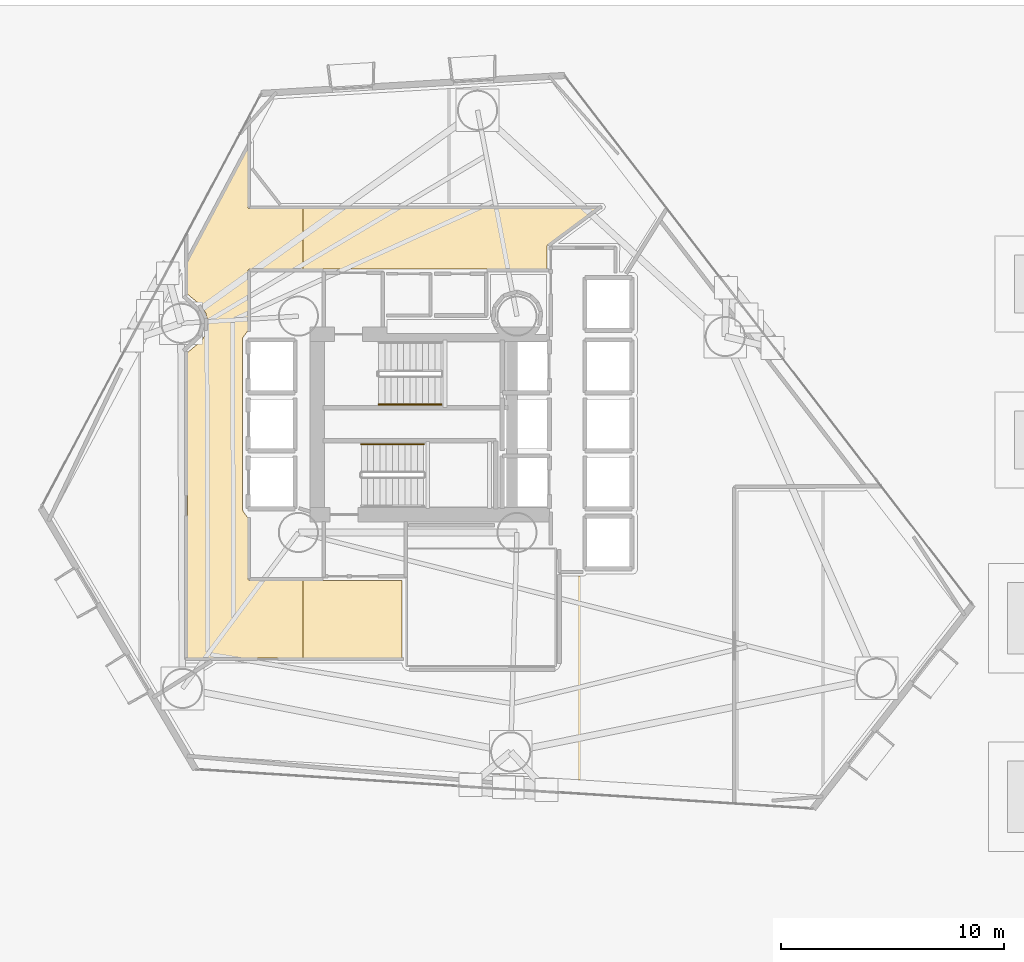
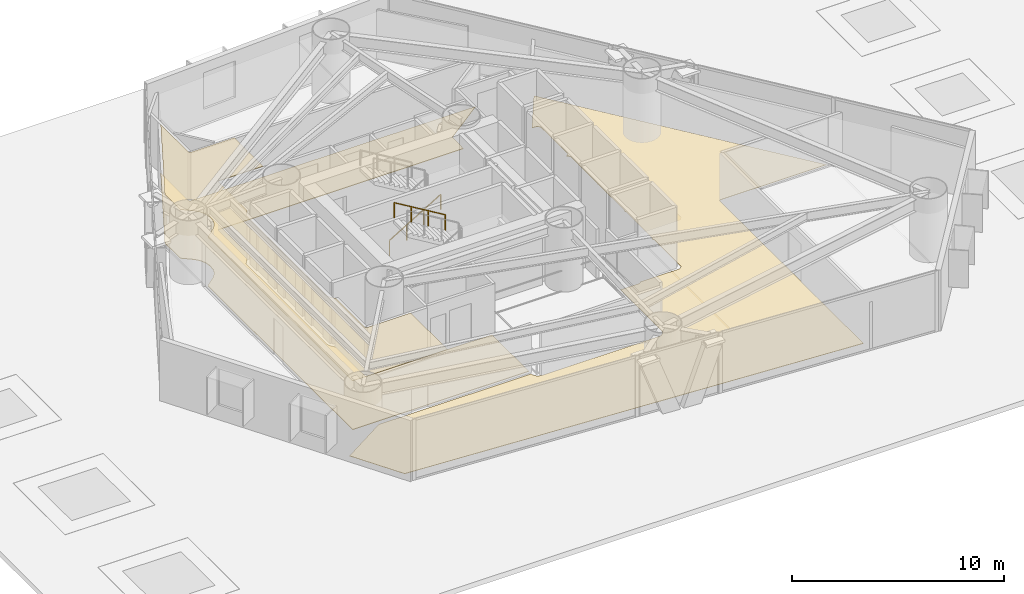
# One storey, part 20 of 22: 3 coverings, 2 railings.
"""IFC4 building model written with IfcOpenShell, lengths in metres."""

from ifc_helpers import new_model, si_unit, direction, frame, origin, origin_2d, place, context, subcontext, project, spatial, polyline, rectangle, outline, extrude, material, layer, layer_set, type_object, element, save


model = new_model("IFC4")

# Units and contexts
model_context = context("Model", 3, precision=1e-05, world=origin(), true_north=direction((0.0, 1.0)))
body_context = subcontext(model_context, "Body", "Model", "MODEL_VIEW")
ifc_project = project(units=[si_unit("LENGTHUNIT", "METRE"), si_unit("AREAUNIT", "SQUARE_METRE"), si_unit("VOLUMEUNIT", "CUBIC_METRE"), si_unit("PLANEANGLEUNIT", "RADIAN"), si_unit("MASSUNIT", "GRAM", prefix="KILO")], contexts=[model_context])

# Site, building, storey
site_placement = place(None, origin())
site = spatial("IfcSite", under=ifc_project, at=site_placement, CompositionType="ELEMENT")
building_placement = place(site_placement, origin())
building = spatial("IfcBuilding", under=site, at=building_placement, Name="Qianvela Tower", CompositionType="ELEMENT")
storey_placement = place(building_placement, frame((0.0, 0.0, 25.699951171875)))
storey = spatial("IfcBuildingStorey", under=building, at=storey_placement, Name="L05", CompositionType="ELEMENT", Elevation=25.699951171875)

# Coverings
ifc_material_1 = material(Name="Perforated Mineral Acoustic Ceiling Tile")
ifc_layer_1 = layer(ifc_material_1, 0.02490234375)
ifc_layer_set_1 = layer_set([ifc_layer_1], Name="Perforated Mineral Acoustic Ceiling Tile")
covering_type_1 = type_object("IfcCoveringType", Name="COV-CEIL-ACOUSTIC-25", PredefinedType="CEILING", material=ifc_layer_set_1)
covering_1_placement = place(storey_placement, frame((0.0, 0.0, 2.81494140625)))
element("IfcCovering", 1, at=covering_1_placement, inside=storey, type_object=covering_type_1, Name="L05 Acoustic Ceiling Bay 1 L05 Floor Corridor", PredefinedType="CEILING", context=body_context, shape_type="SweptSolid", body=[
    extrude(outline(polyline([(24.514892578125, 33.462158203125), (24.512939453125, 33.4697265625), (24.44921875, 33.6796875), (24.44677734375, 33.687255859375), (24.443359375, 33.6943359375), (24.33984375, 33.887939453125), (24.335693359375, 33.894775390625), (24.3310546875, 33.90087890625), (24.19189453125, 34.07080078125), (24.1865234375, 34.076416015625), (24.1806640625, 34.081787109375), (23.635498046875, 34.529296875), (23.630126953125, 35.978515625), (26.340087890625, 41.0751953125), (26.340087890625, 38.449951171875), (26.34033203125, 38.442138671875), (26.341552734375, 38.434326171875), (26.343505859375, 38.4267578125), (26.34619140625, 38.41943359375), (26.349365234375, 38.412353515625), (26.353515625, 38.405517578125), (26.358154296875, 38.399169921875), (26.36328125, 38.393310546875), (26.369140625, 38.38818359375), (26.37548828125, 38.383544921875), (26.38232421875, 38.37939453125), (26.389404296875, 38.376220703125), (26.396728515625, 38.373291015625), (26.404296875, 38.37158203125), (26.412109375, 38.370361328125), (26.419921875, 38.3701171875), (28.80517578125, 38.3701171875), (28.80517578125, 35.659912109375), (26.419921875, 35.659912109375), (26.412109375, 35.65966796875), (26.404296875, 35.658447265625), (26.396728515625, 35.656494140625), (26.389404296875, 35.65380859375), (26.38232421875, 35.650634765625), (26.37548828125, 35.646484375), (26.369140625, 35.641845703125), (26.36328125, 35.63671875), (26.358154296875, 35.630859375), (26.353515625, 35.62451171875), (26.349365234375, 35.61767578125), (26.34619140625, 35.610595703125), (26.343505859375, 35.603271484375), (26.341552734375, 35.595703125), (26.34033203125, 35.587890625), (26.340087890625, 35.580078125), (26.340087890625, 32.89599609375), (26.11572265625, 32.593505859375), (26.11181640625, 32.587646484375), (26.108154296875, 32.581298828125), (26.105224609375, 32.574462890625), (26.10302734375, 32.567626953125), (26.101318359375, 32.560546875), (26.100341796875, 32.55322265625), (26.10009765625, 32.5458984375), (26.10009765625, 24.89990234375), (26.100341796875, 24.89208984375), (26.1015625, 24.884521484375), (26.103515625, 24.876708984375), (26.126953125, 24.799072265625), (26.12939453125, 24.79248046875), (26.132080078125, 24.786376953125), (26.135498046875, 24.7802734375), (26.139404296875, 24.774658203125), (26.340087890625, 24.50390625), (26.340087890625, 21.780029296875), (26.34033203125, 21.772216796875), (26.341552734375, 21.764404296875), (26.343505859375, 21.7568359375), (26.34619140625, 21.74951171875), (26.349365234375, 21.7421875), (26.353515625, 21.735595703125), (26.358154296875, 21.729248046875), (26.36328125, 21.723388671875), (26.369140625, 21.71826171875), (26.37548828125, 21.71337890625), (26.38232421875, 21.70947265625), (26.389404296875, 21.7060546875), (26.396728515625, 21.703369140625), (26.404296875, 21.701416015625), (26.412109375, 21.700439453125), (26.419921875, 21.699951171875), (28.80517578125, 21.699951171875), (28.80517578125, 18.22998046875), (23.6298828125, 18.22998046875), (23.6298828125, 31.922119140625), (24.1806640625, 32.374267578125), (24.1865234375, 32.37939453125), (24.19189453125, 32.38525390625), (24.3310546875, 32.554931640625), (24.335693359375, 32.561279296875), (24.33984375, 32.568115234375), (24.49609375, 32.8603515625), (24.49951171875, 32.867431640625), (24.502197265625, 32.875), (24.50390625, 32.882568359375), (24.505126953125, 32.890380859375), (24.53759765625, 33.22021484375), (24.5380859375, 33.22802734375), (24.53759765625, 33.23583984375), (24.51611328125, 33.454345703125), (24.514892578125, 33.462158203125)])), origin(), (0.0, 0.0, 1.0), 0.025146484375),
])
ifc_material_2 = material(Name="Engineered Acoustic Oak Timber Flooring", Category="wood")
ifc_layer_2 = layer(ifc_material_2, 0.02001953125)
ifc_layer_set_2 = layer_set([ifc_layer_2], Name="Engineered Acoustic Oak Timber Flooring")
covering_type_2 = type_object("IfcCoveringType", Name="COV-FLOOR-OAK-20", PredefinedType="FLOORING", material=ifc_layer_set_2)
covering_2_placement = place(storey_placement, origin())
element("IfcCovering", 2, at=covering_2_placement, inside=storey, type_object=covering_type_2, Name="L05 Finish Flooring Shared Communal Kitchen L05-02", PredefinedType="FLOORING", context=body_context, shape_type="SweptSolid", body=[
    extrude(outline(polyline([(40.122802734375, 17.662841796875), (40.13037109375, 17.664794921875), (40.1376953125, 17.66748046875), (40.14501953125, 17.6708984375), (40.151611328125, 17.6748046875), (40.242431640625, 17.735595703125), (40.249267578125, 17.74072265625), (40.255615234375, 17.74658203125), (40.26123046875, 17.753173828125), (40.26611328125, 17.76025390625), (40.270263671875, 17.767822265625), (40.35107421875, 17.9384765625), (40.354248046875, 17.946533203125), (40.356689453125, 17.955078125), (40.358154296875, 17.963623046875), (40.358642578125, 17.972412109375), (40.360107421875, 21.889892578125), (41.367919921875, 21.890380859375), (41.375732421875, 21.890869140625), (41.383544921875, 21.891845703125), (41.39111328125, 21.893798828125), (41.3984375, 21.896484375), (41.405517578125, 21.89990234375), (41.45947265625, 21.9287109375), (41.46630859375, 21.932861328125), (41.472900390625, 21.9375), (41.478759765625, 21.943115234375), (41.48388671875, 21.948974609375), (41.48876953125, 21.955322265625), (41.492919921875, 21.96240234375), (41.49609375, 21.969482421875), (41.498779296875, 21.97705078125), (41.49951171875, 21.97998046875), (43.59375, 21.980712890625), (43.6015625, 21.981201171875), (43.609375, 21.982177734375), (43.616943359375, 21.984130859375), (43.624267578125, 21.98681640625), (43.699462890625, 22.017822265625), (43.70703125, 22.021484375), (43.71435546875, 22.02587890625), (43.72119140625, 22.03125), (43.727294921875, 22.037109375), (43.732666015625, 22.043701171875), (43.7373046875, 22.05078125), (43.785888671875, 22.131591796875), (43.7900390625, 22.13916015625), (43.793212890625, 22.147216796875), (43.79541015625, 22.155517578125), (43.796875, 22.1640625), (43.79736328125, 22.172607421875), (43.800048828125, 24.599853515625), (43.7998046875, 24.606689453125), (43.798828125, 24.613525390625), (43.79736328125, 24.620361328125), (43.79541015625, 24.626953125), (43.763427734375, 24.7158203125), (43.760498046875, 24.722900390625), (43.7568359375, 24.72998046875), (43.75244140625, 24.736572265625), (43.74755859375, 24.742431640625), (43.741943359375, 24.748046875), (43.73583984375, 24.753173828125), (43.735107421875, 24.753662109375), (43.7783203125, 24.811767578125), (43.782958984375, 24.81884765625), (43.786865234375, 24.826416015625), (43.789794921875, 24.834228515625), (43.7919921875, 24.84228515625), (43.79345703125, 24.8505859375), (43.7939453125, 24.859130859375), (43.800048828125, 27.2998046875), (43.799560546875, 27.307861328125), (43.79833984375, 27.315673828125), (43.79638671875, 27.323486328125), (43.793701171875, 27.3310546875), (43.7646484375, 27.39990234375), (43.793701171875, 27.468994140625), (43.79638671875, 27.476318359375), (43.79833984375, 27.484130859375), (43.799560546875, 27.491943359375), (43.800048828125, 27.5), (43.800048828125, 29.89990234375), (43.799560546875, 29.907958984375), (43.79833984375, 29.915771484375), (43.79638671875, 29.923583984375), (43.793701171875, 29.93115234375), (43.7646484375, 30.0), (43.793701171875, 30.06884765625), (43.79638671875, 30.076416015625), (43.79833984375, 30.084228515625), (43.799560546875, 30.092041015625), (43.800048828125, 30.10009765625), (43.79736328125, 32.52734375), (43.796875, 32.535888671875), (43.79541015625, 32.54443359375), (43.793212890625, 32.552734375), (43.7900390625, 32.560791015625), (43.785888671875, 32.568359375), (43.7373046875, 32.6494140625), (43.732666015625, 32.656494140625), (43.727294921875, 32.662841796875), (43.72119140625, 32.668701171875), (43.71435546875, 32.674072265625), (43.70703125, 32.678466796875), (43.699462890625, 32.68212890625), (43.645751953125, 32.704345703125), (43.734130859375, 32.751708984375), (43.740966796875, 32.755615234375), (43.747314453125, 32.760498046875), (43.7529296875, 32.765625), (43.75830078125, 32.771484375), (43.762939453125, 32.77783203125), (43.76708984375, 32.784423828125), (43.770263671875, 32.79150390625), (43.77294921875, 32.799072265625), (43.796630859375, 32.876708984375), (43.798583984375, 32.884521484375), (43.799560546875, 32.89208984375), (43.800048828125, 32.900146484375), (43.79736328125, 35.327392578125), (43.796875, 35.335693359375), (43.79541015625, 35.343994140625), (43.793212890625, 35.352294921875), (43.790283203125, 35.360107421875), (43.78662109375, 35.367431640625), (43.781982421875, 35.37451171875), (43.776611328125, 35.381103515625), (43.679931640625, 35.48779296875), (43.674072265625, 35.493408203125), (43.667724609375, 35.49853515625), (43.660888671875, 35.503173828125), (43.65380859375, 35.5068359375), (43.64599609375, 35.509765625), (43.63818359375, 35.511962890625), (43.630126953125, 35.513427734375), (43.6220703125, 35.513916015625), (43.395263671875, 35.517822265625), (44.803955078125, 37.776611328125), (53.93310546875, 25.94189453125), (48.169189453125, 25.94189453125), (48.161376953125, 25.941650390625), (48.153564453125, 25.9404296875), (48.14599609375, 25.938720703125), (48.138671875, 25.935791015625), (48.131591796875, 25.9326171875), (48.124755859375, 25.928466796875), (48.118408203125, 25.923828125), (48.112548828125, 25.918701171875), (48.107421875, 25.912841796875), (48.102783203125, 25.906494140625), (48.0986328125, 25.899658203125), (48.09521484375, 25.892578125), (48.092529296875, 25.88525390625), (48.0908203125, 25.877685546875), (48.089599609375, 25.869873046875), (48.089111328125, 25.862060546875), (48.088623046875, 12.322509765625), (23.946044921875, 13.861328125), (22.423095703125, 16.43505859375), (24.91162109375, 17.989990234375), (33.243408203125, 17.989990234375), (33.24560546875, 17.94189453125), (33.24609375, 17.93505859375), (33.247314453125, 17.927978515625), (33.2490234375, 17.92138671875), (33.25146484375, 17.914794921875), (33.293212890625, 17.813720703125), (33.296630859375, 17.806640625), (33.30078125, 17.800048828125), (33.305419921875, 17.793701171875), (33.310546875, 17.787841796875), (33.387939453125, 17.710693359375), (33.39306640625, 17.705810546875), (33.398681640625, 17.70166015625), (33.40478515625, 17.69775390625), (33.410888671875, 17.694580078125), (33.41748046875, 17.69189453125), (33.545654296875, 17.64599609375), (33.554443359375, 17.643310546875), (33.5634765625, 17.641845703125), (33.572509765625, 17.641357421875), (40.0, 17.639892578125), (40.0078125, 17.640380859375), (40.015625, 17.6416015625), (40.122802734375, 17.662841796875)])), origin(), (0.0, 0.0, 1.0), 0.02001953125),
])
ifc_material_3 = material(Name="Honed Stone Terrazzo Flooring", Category="masonry")
ifc_layer_3 = layer(ifc_material_3, 0.030029296875)
ifc_layer_set_3 = layer_set([ifc_layer_3], Name="Honed Stone Terrazzo Flooring")
covering_type_3 = type_object("IfcCoveringType", Name="COV-FLOOR-TERRAZZO-30", PredefinedType="FLOORING", material=ifc_layer_set_3)
covering_3_placement = place(storey_placement, origin())
element("IfcCovering", 3, at=covering_3_placement, inside=storey, type_object=covering_type_3, Name="L05 Finish Flooring L05 Floor Corridor", PredefinedType="FLOORING", context=body_context, shape_type="SweptSolid", body=[
    extrude(outline(polyline([(24.51611328125, 33.454345703125), (24.514892578125, 33.462158203125), (24.512939453125, 33.4697265625), (24.44921875, 33.6796875), (24.44677734375, 33.687255859375), (24.443359375, 33.6943359375), (24.33984375, 33.887939453125), (24.335693359375, 33.894775390625), (24.3310546875, 33.90087890625), (24.19189453125, 34.07080078125), (24.1865234375, 34.076416015625), (24.1806640625, 34.081787109375), (23.635498046875, 34.529296875), (23.630126953125, 35.978515625), (26.340087890625, 41.0751953125), (26.340087890625, 38.449951171875), (26.34033203125, 38.442138671875), (26.341552734375, 38.434326171875), (26.343505859375, 38.4267578125), (26.34619140625, 38.41943359375), (26.349365234375, 38.412353515625), (26.353515625, 38.405517578125), (26.358154296875, 38.399169921875), (26.36328125, 38.393310546875), (26.369140625, 38.38818359375), (26.37548828125, 38.383544921875), (26.38232421875, 38.37939453125), (26.389404296875, 38.376220703125), (26.396728515625, 38.373291015625), (26.404296875, 38.37158203125), (26.412109375, 38.370361328125), (26.419921875, 38.3701171875), (41.961181640625, 38.3701171875), (39.784423828125, 36.753662109375), (39.778076171875, 36.748291015625), (39.772216796875, 36.742431640625), (39.76708984375, 36.736083984375), (39.7626953125, 36.729248046875), (39.759033203125, 36.721923828125), (39.756103515625, 36.71435546875), (39.75390625, 36.70654296875), (39.752685546875, 36.698486328125), (39.752197265625, 36.690185546875), (39.739013671875, 35.659912109375), (26.419921875, 35.659912109375), (26.412109375, 35.65966796875), (26.404296875, 35.658447265625), (26.396728515625, 35.656494140625), (26.389404296875, 35.65380859375), (26.38232421875, 35.650634765625), (26.37548828125, 35.646484375), (26.369140625, 35.641845703125), (26.36328125, 35.63671875), (26.358154296875, 35.630859375), (26.353515625, 35.62451171875), (26.349365234375, 35.61767578125), (26.34619140625, 35.610595703125), (26.343505859375, 35.603271484375), (26.341552734375, 35.595703125), (26.34033203125, 35.587890625), (26.340087890625, 35.580078125), (26.340087890625, 32.89599609375), (26.11572265625, 32.593505859375), (26.11181640625, 32.587646484375), (26.108154296875, 32.581298828125), (26.105224609375, 32.574462890625), (26.10302734375, 32.567626953125), (26.101318359375, 32.560546875), (26.100341796875, 32.55322265625), (26.10009765625, 32.5458984375), (26.10009765625, 24.89990234375), (26.100341796875, 24.89208984375), (26.1015625, 24.884521484375), (26.103515625, 24.876708984375), (26.126953125, 24.799072265625), (26.12939453125, 24.79248046875), (26.132080078125, 24.786376953125), (26.135498046875, 24.7802734375), (26.139404296875, 24.774658203125), (26.340087890625, 24.50390625), (26.340087890625, 21.780029296875), (26.34033203125, 21.772216796875), (26.341552734375, 21.764404296875), (26.343505859375, 21.7568359375), (26.34619140625, 21.74951171875), (26.349365234375, 21.7421875), (26.353515625, 21.735595703125), (26.358154296875, 21.729248046875), (26.36328125, 21.723388671875), (26.369140625, 21.71826171875), (26.37548828125, 21.71337890625), (26.38232421875, 21.70947265625), (26.389404296875, 21.7060546875), (26.396728515625, 21.703369140625), (26.404296875, 21.701416015625), (26.412109375, 21.700439453125), (26.419921875, 21.699951171875), (33.239990234375, 21.699951171875), (33.239990234375, 18.22998046875), (23.6298828125, 18.22998046875), (23.6298828125, 31.922119140625), (24.1806640625, 32.374267578125), (24.1865234375, 32.37939453125), (24.19189453125, 32.38525390625), (24.3310546875, 32.554931640625), (24.335693359375, 32.561279296875), (24.33984375, 32.568115234375), (24.49609375, 32.8603515625), (24.49951171875, 32.867431640625), (24.502197265625, 32.875), (24.50390625, 32.882568359375), (24.505126953125, 32.890380859375), (24.53759765625, 33.22021484375), (24.5380859375, 33.22802734375), (24.53759765625, 33.23583984375), (24.51611328125, 33.454345703125)])), origin(), (0.0, 0.0, 1.0), 0.030029296875),
])

# Railings
ifc_material_4 = material(Name="Brushed Stainless Steel 304", Category="steel")
railing_type = type_object("IfcRailingType", Name="RL-STAIR-HANDRAIL-900", PredefinedType="HANDRAIL", material=ifc_material_4)
railing_1_placement = place(storey_placement, frame((32.199951171875, 29.590087890625, 0.168212890625)))
element("IfcRailing", 4, at=railing_1_placement, inside=storey, type_object=railing_type, Name="L05 ST-1 stair handrail 1", PredefinedType="HANDRAIL", context=body_context, shape_type="SweptSolid", body=[
    extrude(rectangle(XDim=0.050048828125, YDim=0.0400390625, at=origin_2d()), frame((0.0, 0.0, 0.8798828125), z_axis=(0.857242210791, 0.0, 0.514913383045), x_axis=(0.0, 1.0, 0.0)), (0.0, 0.0, 1.0), 3.266357421875),
    extrude(rectangle(XDim=0.050048828125, YDim=0.050048828125, at=origin_2d()), origin(), (0.0, 0.0, 1.0), 0.85986328125),
    extrude(rectangle(XDim=0.050048828125, YDim=0.050048828125, at=origin_2d()), frame((0.933349609375, 0.0, 0.560546875)), (0.0, 0.0, 1.0), 0.85986328125),
    extrude(rectangle(XDim=0.050048828125, YDim=0.050048828125, at=origin_2d()), frame((1.86669921875, 0.0, 1.121337890625)), (0.0, 0.0, 1.0), 0.85986328125),
    extrude(rectangle(XDim=0.050048828125, YDim=0.050048828125, at=origin_2d()), frame((2.800048828125, 0.0, 1.681884765625)), (0.0, 0.0, 1.0), 0.85986328125),
])
railing_2_placement = place(storey_placement, frame((34.219970703125, 27.81005859375, 2.018310546875)))
element("IfcRailing", 5, at=railing_2_placement, inside=storey, type_object=railing_type, Name="L05 ST-2 stair handrail 2", PredefinedType="HANDRAIL", context=body_context, shape_type="SweptSolid", body=[
    extrude(rectangle(XDim=0.050048828125, YDim=0.0400390625, at=origin_2d()), frame((0.0, 0.0, 0.8798828125), z_axis=(-0.857275202839, 0.0, 0.514858452973), x_axis=(0.0, -1.0, 0.0)), (0.0, 0.0, 1.0), 3.26611328125),
    extrude(rectangle(XDim=0.050048828125, YDim=0.050048828125, at=origin_2d()), origin(), (0.0, 0.0, 1.0), 0.85986328125),
    extrude(rectangle(XDim=0.050048828125, YDim=0.050048828125, at=origin_2d()), frame((-0.933349609375, 0.0, 0.560546875)), (0.0, 0.0, 1.0), 0.85986328125),
    extrude(rectangle(XDim=0.050048828125, YDim=0.050048828125, at=origin_2d()), frame((-1.86669921875, 0.0, 1.12109375)), (0.0, 0.0, 1.0), 0.85986328125),
    extrude(rectangle(XDim=0.050048828125, YDim=0.050048828125, at=origin_2d()), frame((-2.800048828125, 0.0, 1.681640625)), (0.0, 0.0, 1.0), 0.85986328125),
])

save(model, "model.ifc")
